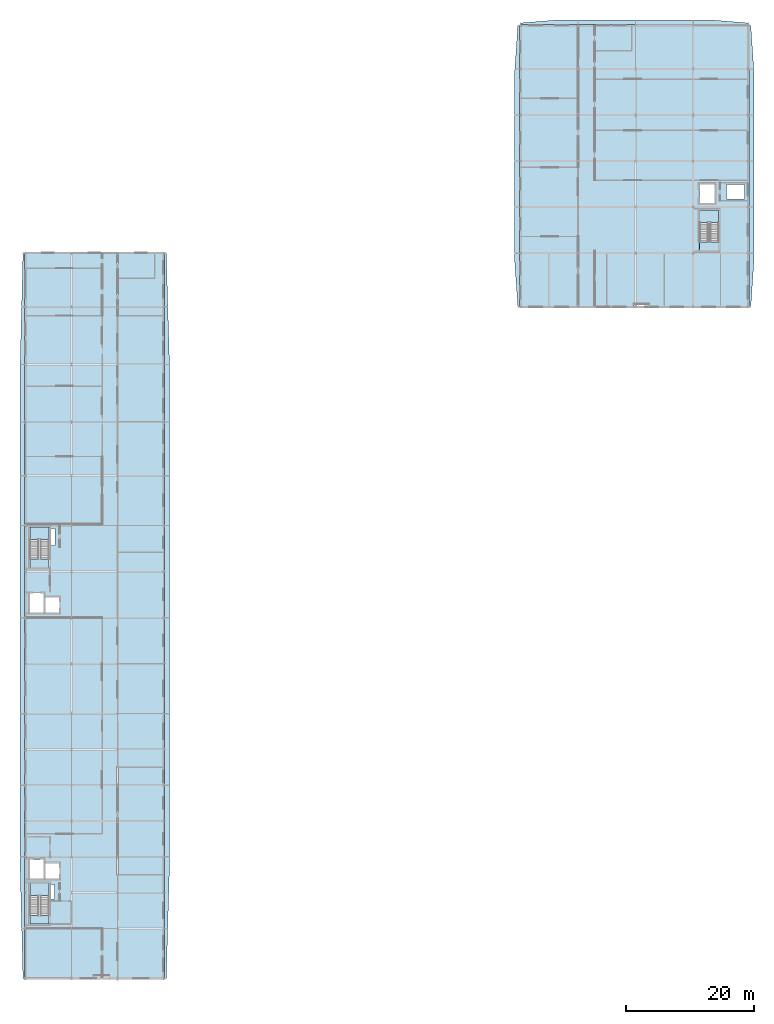
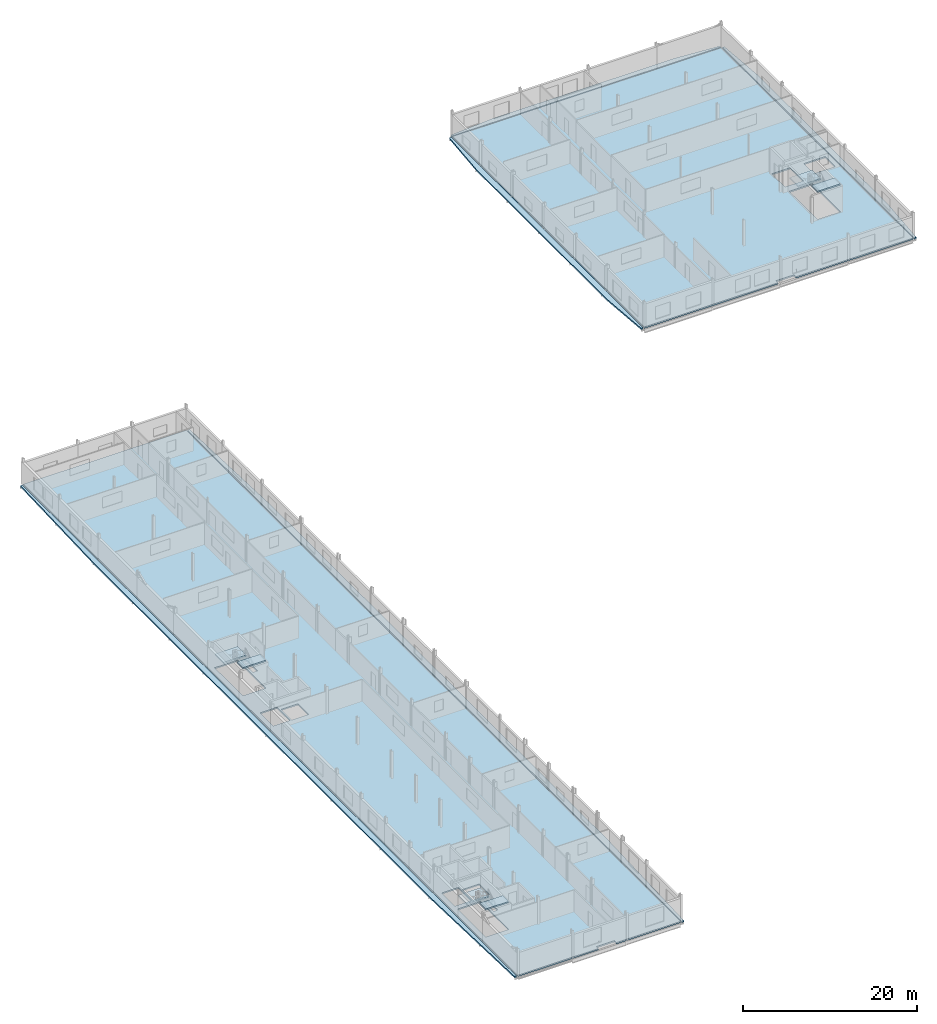
# One storey, part 15 of 30: 13 slabs, 3 elements without a shape of their own.
"""IFC4 building model written with IfcOpenShell, lengths in metres."""

import ifcopenshell
import ifcopenshell.guid

model = None  # the IFC model being written
_history = None  # IfcOwnerHistory: only IFC2X3 demands one
_inside = {}  # id of a spatial element -> (the spatial element, [elements in it])
_under = {}  # id of a project, library or spatial element -> (it, [spatial elements below it])
_declared = {}  # id of a project -> (the project, [libraries it declares])
_typed = {}  # id of a type object -> (the type object, [elements of that type])
_made_of = {}  # id of a material, layer set ... -> (it, [elements and type objects made of it])


def new_model(schema):
    """Start an empty IFC model of exactly this schema.

    Asked for "IFC4X3", IfcOpenShell would pick the latest addendum, in which some entities
    have other attributes; the version numbers below select the first issue.
    IFC2X3 requires an IfcOwnerHistory on every rooted entity: one is made here for all.
    """
    global model, _history
    if schema == "IFC4X3":
        model = ifcopenshell.file(schema_version=(4, 3, 0, 0))
    else:
        model = ifcopenshell.file(schema=schema)
    _inside.clear()
    _under.clear()
    _declared.clear()
    _typed.clear()
    _made_of.clear()
    _history = None
    if model.schema == "IFC2X3":
        org = make("IfcOrganization", Name="unknown")
        user = make(
            "IfcPersonAndOrganization",
            ThePerson=make("IfcPerson", FamilyName="unknown"),
            TheOrganization=org,
        )
        app = make(
            "IfcApplication",
            ApplicationDeveloper=org,
            Version="unknown",
            ApplicationFullName="unknown",
            ApplicationIdentifier="unknown",
        )
        _history = make(
            "IfcOwnerHistory",
            OwningUser=user,
            OwningApplication=app,
            ChangeAction="ADDED",
            CreationDate=0,
        )
    return model


def make(cls, **values):
    """One entity of the class cls with the attributes given. An attribute that is None is left unset."""
    return model.create_entity(
        cls, **{name: value for name, value in values.items() if value is not None}
    )


def rooted(cls, **values):
    """An entity with a GlobalId (a new one), such as an element, a storey or a relation."""
    return make(cls, GlobalId=ifcopenshell.guid.new(), OwnerHistory=_history, **values)


def si_unit(unit_type, name, prefix=None):
    """IfcSIUnit, for example si_unit("LENGTHUNIT", "METRE", prefix="MILLI")."""
    return make("IfcSIUnit", UnitType=unit_type, Prefix=prefix, Name=name)


def assignment(units):
    """IfcUnitAssignment: the units of a project."""
    return None if units is None else make("IfcUnitAssignment", Units=units)


def point(xyz):
    """IfcCartesianPoint."""
    return None if xyz is None else make("IfcCartesianPoint", Coordinates=xyz)


def direction(xyz):
    """IfcDirection."""
    return None if xyz is None else make("IfcDirection", DirectionRatios=xyz)


def frame(location, z_axis=None, x_axis=None):
    """IfcAxis2Placement3D, a coordinate frame: its origin and axes. An axis left out is left unset."""
    return make(
        "IfcAxis2Placement3D",
        Location=point(location),
        Axis=direction(z_axis),
        RefDirection=direction(x_axis),
    )


def origin():
    """The frame at (0, 0, 0) with its axes left unset."""
    return frame((0.0, 0.0, 0.0))


def place(relative_to, where):
    """IfcLocalPlacement: puts the frame where relative to a parent placement (None: the world)."""
    return make(
        "IfcLocalPlacement", PlacementRelTo=relative_to, RelativePlacement=where
    )


def context(
    kind, dimensions, precision=None, world=None, true_north=None, identifier=None
):
    """IfcGeometricRepresentationContext, for example the 3D "Model" context."""
    return make(
        "IfcGeometricRepresentationContext",
        ContextIdentifier=identifier,
        ContextType=kind,
        CoordinateSpaceDimension=dimensions,
        Precision=precision,
        WorldCoordinateSystem=world,
        TrueNorth=true_north,
    )


def subcontext(parent, identifier, kind, view, scale=None):
    """IfcGeometricRepresentationSubContext, for example "Body" below "Model"."""
    return make(
        "IfcGeometricRepresentationSubContext",
        ContextIdentifier=identifier,
        ContextType=kind,
        ParentContext=parent,
        TargetScale=scale,
        TargetView=view,
    )


def project(units=None, contexts=None):
    """IfcProject with its units and contexts."""
    return rooted(
        "IfcProject",
        Name="project",
        RepresentationContexts=contexts,
        UnitsInContext=assignment(units),
    )


def spatial(cls, under=None, at=None, **own):
    """A site, building, storey or space (cls), placed at a placement, below another one or the project."""
    s = rooted(cls, ObjectPlacement=at, **own)
    if under is not None:
        _under.setdefault(under.id(), (under, []))[1].append(s)
    return s


def polyline(points):
    """IfcPolyline through the points."""
    return make("IfcPolyline", Points=[point(p) for p in points])


def outline(outer, holes=None, kind="AREA"):
    """IfcArbitraryClosedProfileDef: a profile drawn as a closed curve; with holes, ...WithVoids."""
    if holes is None:
        return make("IfcArbitraryClosedProfileDef", ProfileType=kind, OuterCurve=outer)
    return make(
        "IfcArbitraryProfileDefWithVoids",
        ProfileType=kind,
        OuterCurve=outer,
        InnerCurves=holes,
    )


def extrude(swept, where, along, depth):
    """IfcExtrudedAreaSolid: the profile swept, set in the frame where, extruded along a direction by depth."""
    return make(
        "IfcExtrudedAreaSolid",
        SweptArea=swept,
        Position=where,
        ExtrudedDirection=direction(along),
        Depth=depth,
    )


def shape(context_of_items, identifier, shape_type, items):
    """IfcShapeRepresentation: the items that make up one representation, for example the "Body"."""
    return make(
        "IfcShapeRepresentation",
        ContextOfItems=context_of_items,
        RepresentationIdentifier=identifier,
        RepresentationType=shape_type,
        Items=items,
    )


def material(Name=None, Category=None):
    """IfcMaterial."""
    return make("IfcMaterial", Name=Name, Category=Category)


def layer(
    of_material, thickness, ventilated=None, Name=None, Category=None, Priority=None
):
    """IfcMaterialLayer: one layer of a wall or slab, of a material (None: an air gap)."""
    return make(
        "IfcMaterialLayer",
        Material=of_material,
        LayerThickness=thickness,
        IsVentilated=ventilated,
        Name=Name,
        Category=Category,
        Priority=Priority,
    )


def layer_set(layers, Name=None):
    """IfcMaterialLayerSet."""
    return make("IfcMaterialLayerSet", MaterialLayers=layers, LayerSetName=Name)


def made_of(thing, what):
    """Note that an element or type object is made of a material, layer set ...; save() writes the relation."""
    if what is not None:
        _made_of.setdefault(what.id(), (what, []))[1].append(thing)
    return thing


def type_object(cls, material=None, **own):
    """A type object (cls), such as IfcWallType, which elements share."""
    return made_of(rooted(cls, **own), material)


def element(
    cls,
    number,
    at=None,
    inside=None,
    cuts=None,
    type_object=None,
    material=None,
    context=None,
    identifier="Body",
    shape_type=None,
    held_by="IfcProductDefinitionShape",
    body=None,
    shapes=None,
    **own,
):
    """One element of the class cls, such as IfcWall. Its Tag is "e" and its number.

    at: its placement. inside: the storey or other place that contains it. cuts: it is an
    opening in that element (IfcRelVoidsElement). A single representation is given by context,
    identifier, shape_type and body (its items); several are given by shapes. held_by: the class
    of the entity that holds the representations. save() writes the other relations.
    """
    e = rooted(cls, Tag="e%d" % number, ObjectPlacement=at, **own)
    if body is not None:
        shapes = [shape(context, identifier, shape_type, body)]
    if shapes is not None:
        e.Representation = make(held_by, Representations=shapes)
    if inside is not None:
        _inside.setdefault(inside.id(), (inside, []))[1].append(e)
    if cuts is not None:
        rooted(
            "IfcRelVoidsElement", RelatingBuildingElement=cuts, RelatedOpeningElement=e
        )
    if type_object is not None:
        _typed.setdefault(type_object.id(), (type_object, []))[1].append(e)
    return made_of(e, material)


def aggregate(whole, parts):
    """IfcRelAggregates: a whole, such as a stair, and the parts it consists of."""
    return rooted("IfcRelAggregates", RelatingObject=whole, RelatedObjects=parts)


def save(model, path):
    """Write the relations noted so far, then the file.

    IfcRelAggregates (storeys below a building ...), IfcRelContainedInSpatialStructure (elements
    in a storey), IfcRelDefinesByType, IfcRelAssociatesMaterial and IfcRelDeclares: one each for
    every whole, place, type object, material and project.
    """
    for whole, parts in _under.values():
        aggregate(whole, parts)
    for where, things in _inside.values():
        rooted(
            "IfcRelContainedInSpatialStructure",
            RelatedElements=things,
            RelatingStructure=where,
        )
    for kind, things in _typed.values():
        rooted("IfcRelDefinesByType", RelatedObjects=things, RelatingType=kind)
    for what, things in _made_of.values():
        rooted("IfcRelAssociatesMaterial", RelatedObjects=things, RelatingMaterial=what)
    for by, libraries in _declared.values():
        rooted("IfcRelDeclares", RelatingContext=by, RelatedDefinitions=libraries)
    model.write(path)


model = new_model("IFC4")

# Units and contexts
model_context = context("Model", 3, precision=1e-05, world=origin(), true_north=direction((0.0, 1.0)))
body_context = subcontext(model_context, "Body", "Model", "MODEL_VIEW")
ifc_project = project(units=[si_unit("LENGTHUNIT", "METRE"), si_unit("AREAUNIT", "SQUARE_METRE"), si_unit("VOLUMEUNIT", "CUBIC_METRE"), si_unit("PLANEANGLEUNIT", "RADIAN"), si_unit("MASSUNIT", "GRAM", prefix="KILO")], contexts=[model_context])

# Site, building, storey
site_placement = place(None, origin())
site = spatial("IfcSite", under=ifc_project, at=site_placement, CompositionType="ELEMENT")
building_placement = place(site_placement, origin())
building = spatial("IfcBuilding", under=site, at=building_placement, Name="Vinh Khe Railworks Police Headquarters", CompositionType="ELEMENT")
storey_placement = place(building_placement, frame((0.0, 0.0, 21.0)))
storey = spatial("IfcBuildingStorey", under=building, at=storey_placement, Name="L05", CompositionType="ELEMENT", Elevation=21.0)

# Slabs
ifc_material_1 = material(Name="Concrete C35/45 (B35)", Category="concrete")
ifc_layer_1 = layer(ifc_material_1, 0.199951171875)
ifc_layer_set_1 = layer_set([ifc_layer_1], Name="Concrete C35/45 (B35)")
slab_type_1 = type_object("IfcSlabType", Name="Flat Structural Roof Slab 200", PredefinedType="ROOF", material=ifc_layer_set_1)
slab_1_placement = place(storey_placement, frame((0.0, 0.0, -0.239990234375)))
element("IfcSlab", 1, at=slab_1_placement, inside=storey, type_object=slab_type_1, Name="Monsoon Window Eyebrow Hood V5W (L05)", PredefinedType="ROOF", context=body_context, shape_type="SweptSolid", body=[
    extrude(outline(polyline([(0.4599609375, 17.39990234375), (0.4599609375, 130.800048828125), (0.21142578125, 130.800048828125), (-0.25, 112.656005859375), (-0.25, 35.5439453125), (0.21142578125, 17.39990234375), (0.4599609375, 17.39990234375)])), origin(), (0.0, 0.0, 1.0), 0.199951171875),
])
slab_2_placement = place(storey_placement, frame((0.0, 0.0, -0.239990234375)))
element("IfcSlab", 2, at=slab_2_placement, inside=storey, type_object=slab_type_1, Name="Monsoon Window Eyebrow Hood V5E (L05)", PredefinedType="ROOF", context=body_context, shape_type="SweptSolid", body=[
    extrude(outline(polyline([(22.340087890625, 17.39990234375), (22.62353515625, 17.39990234375), (23.14990234375, 35.5439453125), (23.14990234375, 112.656005859375), (22.62353515625, 130.800048828125), (22.340087890625, 130.800048828125), (22.340087890625, 17.39990234375)])), origin(), (0.0, 0.0, 1.0), 0.199951171875),
])
slab_3_placement = place(storey_placement, frame((0.0, 0.0, -0.239990234375)))
element("IfcSlab", 3, at=slab_3_placement, inside=storey, type_object=slab_type_1, Name="Monsoon Window Eyebrow Hood V6W (L05)", PredefinedType="ROOF", context=body_context, shape_type="SweptSolid", body=[
    extrude(outline(polyline([(77.85009765625, 122.39990234375), (77.85009765625, 166.39990234375), (77.58740234375, 166.39990234375), (77.10009765625, 159.360107421875), (77.10009765625, 129.43994140625), (77.58740234375, 122.39990234375), (77.85009765625, 122.39990234375)])), origin(), (0.0, 0.0, 1.0), 0.199951171875),
])
slab_4_placement = place(storey_placement, frame((0.0, 0.0, -0.239990234375)))
element("IfcSlab", 4, at=slab_4_placement, inside=storey, type_object=slab_type_1, Name="Monsoon Window Eyebrow Hood V6E (L05)", PredefinedType="ROOF", context=body_context, shape_type="SweptSolid", body=[
    extrude(outline(polyline([(113.760009765625, 122.39990234375), (114.01904296875, 122.39990234375), (114.5, 129.43994140625), (114.5, 159.360107421875), (114.01904296875, 166.39990234375), (113.760009765625, 166.39990234375), (113.760009765625, 122.39990234375)])), origin(), (0.0, 0.0, 1.0), 0.199951171875),
])
slab_5_placement = place(storey_placement, frame((0.0, 0.0, -0.239990234375)))
element("IfcSlab", 5, at=slab_5_placement, inside=storey, type_object=slab_type_1, Name="Monsoon Window Eyebrow Hood V6N (L05)", PredefinedType="ROOF", context=body_context, shape_type="SweptSolid", body=[
    extrude(outline(polyline([(78.0, 166.5400390625), (113.60009765625, 166.5400390625), (113.60009765625, 166.78857421875), (107.904052734375, 167.25), (83.696044921875, 167.25), (78.0, 166.78857421875), (78.0, 166.5400390625)])), origin(), (0.0, 0.0, 1.0), 0.199951171875),
])

# Stair, slabs
ifc_material_2 = material(Name="Precast concrete C40/50 (B40)", Category="concrete")
stair_type = type_object("IfcStairType", Name="ST-CORE-DOGLEG", PredefinedType="HALF_TURN_STAIR", material=ifc_material_2)
stair_1_placement = place(storey_placement, origin())
stair_1 = element("IfcStair", 6, at=stair_1_placement, inside=storey, type_object=stair_type, Name="L05 Escape Stair ST-01", PredefinedType="HALF_TURN_STAIR")
ifc_layer_2 = layer(ifc_material_1, 0.199951171875)
ifc_layer_set_2 = layer_set([ifc_layer_2], Name="Concrete C35/45 (B35)")
slab_type_2 = type_object("IfcSlabType", Name="SLB-LAND-200", PredefinedType="LANDING", material=ifc_layer_set_2)
slab_6_placement = place(storey_placement, frame((0.0, 0.0, 1.75)))
slab_6 = element("IfcSlab", 7, at=slab_6_placement, type_object=slab_type_2, Name="ST-01 landing 1", PredefinedType="LANDING", context=body_context, shape_type="SweptSolid", body=[
    extrude(outline(polyline([(4.300048828125, 30.330078125), (4.300048828125, 32.300048828125), (1.300048828125, 32.300048828125), (1.300048828125, 30.330078125), (4.300048828125, 30.330078125)])), origin(), (0.0, 0.0, 1.0), 0.199951171875),
])
slab_7_placement = place(storey_placement, frame((0.0, 0.0, 3.699951171875)))
slab_7 = element("IfcSlab", 8, at=slab_7_placement, type_object=slab_type_2, Name="ST-01 landing 2", PredefinedType="LANDING", context=body_context, shape_type="SweptSolid", body=[
    extrude(outline(polyline([(1.280029296875, 25.8798828125), (4.320068359375, 25.8798828125), (4.320068359375, 27.260009765625), (1.280029296875, 27.260009765625), (1.280029296875, 25.8798828125)])), origin(), (0.0, 0.0, 1.0), 0.199951171875),
])
aggregate(stair_1, [slab_6, slab_7])

stair_2_placement = place(storey_placement, origin())
stair_2 = element("IfcStair", 9, at=stair_2_placement, inside=storey, type_object=stair_type, Name="L05 Escape Stair ST-02", PredefinedType="HALF_TURN_STAIR")
slab_8_placement = place(storey_placement, frame((0.0, 0.0, 1.75)))
slab_8 = element("IfcSlab", 10, at=slab_8_placement, type_object=slab_type_2, Name="ST-02 landing 1", PredefinedType="LANDING", context=body_context, shape_type="SweptSolid", body=[
    extrude(outline(polyline([(4.300048828125, 86.030029296875), (4.300048828125, 88.0), (1.300048828125, 88.0), (1.300048828125, 86.030029296875), (4.300048828125, 86.030029296875)])), origin(), (0.0, 0.0, 1.0), 0.199951171875),
])
slab_9_placement = place(storey_placement, frame((0.0, 0.0, 3.699951171875)))
slab_9 = element("IfcSlab", 11, at=slab_9_placement, type_object=slab_type_2, Name="ST-02 landing 2", PredefinedType="LANDING", context=body_context, shape_type="SweptSolid", body=[
    extrude(outline(polyline([(1.280029296875, 81.580078125), (4.320068359375, 81.580078125), (4.320068359375, 82.9599609375), (1.280029296875, 82.9599609375), (1.280029296875, 81.580078125)])), origin(), (0.0, 0.0, 1.0), 0.199951171875),
])
aggregate(stair_2, [slab_8, slab_9])

stair_3_placement = place(storey_placement, origin())
stair_3 = element("IfcStair", 12, at=stair_3_placement, inside=storey, type_object=stair_type, Name="L05 Escape Stair ST-03", PredefinedType="HALF_TURN_STAIR")
slab_10_placement = place(storey_placement, frame((0.0, 0.0, 1.75)))
slab_10 = element("IfcSlab", 13, at=slab_10_placement, type_object=slab_type_2, Name="ST-03 landing 1", PredefinedType="LANDING", context=body_context, shape_type="SweptSolid", body=[
    extrude(outline(polyline([(109.0, 135.580078125), (109.0, 137.550048828125), (106.0, 137.550048828125), (106.0, 135.580078125), (109.0, 135.580078125)])), origin(), (0.0, 0.0, 1.0), 0.199951171875),
])
slab_11_placement = place(storey_placement, frame((0.0, 0.0, 3.699951171875)))
slab_11 = element("IfcSlab", 14, at=slab_11_placement, type_object=slab_type_2, Name="ST-03 landing 2", PredefinedType="LANDING", context=body_context, shape_type="SweptSolid", body=[
    extrude(outline(polyline([(105.97998046875, 131.1298828125), (109.02001953125, 131.1298828125), (109.02001953125, 132.510009765625), (105.97998046875, 132.510009765625), (105.97998046875, 131.1298828125)])), origin(), (0.0, 0.0, 1.0), 0.199951171875),
])
aggregate(stair_3, [slab_10, slab_11])

# Slabs
ifc_layer_3 = layer(ifc_material_1, 0.199951171875)
ifc_layer_set_3 = layer_set([ifc_layer_3], Name="Concrete C35/45 (B35)")
slab_type_3 = type_object("IfcSlabType", Name="Suspended Floor Slab 200", PredefinedType="FLOOR", material=ifc_layer_set_3)
slab_12_placement = place(storey_placement, frame((0.0, 0.0, -0.199951171875)))
element("IfcSlab", 15, at=slab_12_placement, inside=storey, type_object=slab_type_3, Name="V5 Floor Slab (L05)", PredefinedType="FLOOR", context=body_context, shape_type="SweptSolid", body=[
    extrude(outline(polyline([(0.60009765625, 17.39990234375), (11.300048828125, 17.39990234375), (11.300048828125, 17.85009765625), (13.699951171875, 17.85009765625), (13.699951171875, 17.39990234375), (22.199951171875, 17.39990234375), (22.199951171875, 130.800048828125), (0.60009765625, 130.800048828125), (0.60009765625, 17.39990234375)]), holes=[polyline([(1.27001953125, 25.8701171875), (4.330078125, 25.8701171875), (4.330078125, 32.330078125), (1.27001953125, 32.330078125), (1.27001953125, 25.8701171875)]), polyline([(1.280029296875, 32.97998046875), (3.52001953125, 32.97998046875), (3.52001953125, 36.02001953125), (1.280029296875, 36.02001953125), (1.280029296875, 32.97998046875)]), polyline([(3.679931640625, 32.97998046875), (5.919921875, 32.97998046875), (5.919921875, 35.419921875), (3.679931640625, 35.419921875), (3.679931640625, 32.97998046875)]), polyline([(1.27001953125, 81.570068359375), (4.330078125, 81.570068359375), (4.330078125, 88.030029296875), (1.27001953125, 88.030029296875), (1.27001953125, 81.570068359375)]), polyline([(1.280029296875, 74.580078125), (3.52001953125, 74.580078125), (3.52001953125, 77.6201171875), (1.280029296875, 77.6201171875), (1.280029296875, 74.580078125)]), polyline([(3.679931640625, 74.580078125), (5.919921875, 74.580078125), (5.919921875, 77.02001953125), (3.679931640625, 77.02001953125), (3.679931640625, 74.580078125)]), polyline([(4.60009765625, 29.85009765625), (5.179931640625, 29.85009765625), (5.179931640625, 32.050048828125), (4.60009765625, 32.050048828125), (4.60009765625, 29.85009765625)]), polyline([(4.60009765625, 85.050048828125), (5.219970703125, 85.050048828125), (5.219970703125, 87.75), (4.60009765625, 87.75), (4.60009765625, 85.050048828125)])]), origin(), (0.0, 0.0, 1.0), 0.199951171875),
])
slab_13_placement = place(storey_placement, frame((0.0, 0.0, -0.199951171875)))
element("IfcSlab", 16, at=slab_13_placement, inside=storey, type_object=slab_type_3, Name="V6B Floor Slab (L05)", PredefinedType="FLOOR", context=body_context, shape_type="SweptSolid", body=[
    extrude(outline(polyline([(78.0, 122.39990234375), (95.699951171875, 122.39990234375), (95.699951171875, 122.85009765625), (98.10009765625, 122.85009765625), (98.10009765625, 122.39990234375), (113.60009765625, 122.39990234375), (113.60009765625, 166.39990234375), (78.0, 166.39990234375), (78.0, 122.39990234375)]), holes=[polyline([(105.969970703125, 131.1201171875), (109.030029296875, 131.1201171875), (109.030029296875, 137.580078125), (105.969970703125, 137.580078125), (105.969970703125, 131.1201171875)]), polyline([(105.97998046875, 138.580078125), (108.419921875, 138.580078125), (108.419921875, 141.6201171875), (105.97998046875, 141.6201171875), (105.97998046875, 138.580078125)]), polyline([(110.199951171875, 139.25), (113.0, 139.25), (113.0, 141.550048828125), (110.199951171875, 141.550048828125), (110.199951171875, 139.25)])]), origin(), (0.0, 0.0, 1.0), 0.199951171875),
])

save(model, "model.ifc")
